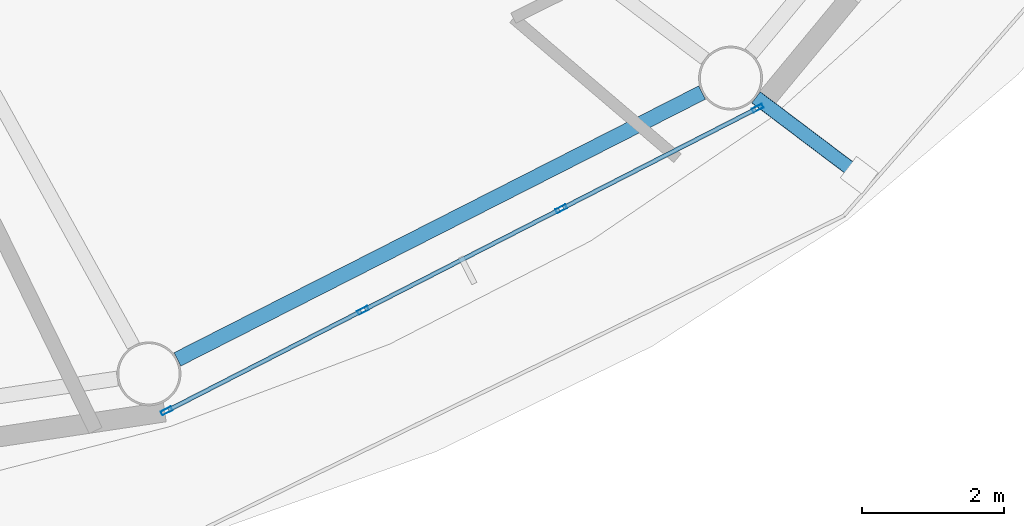
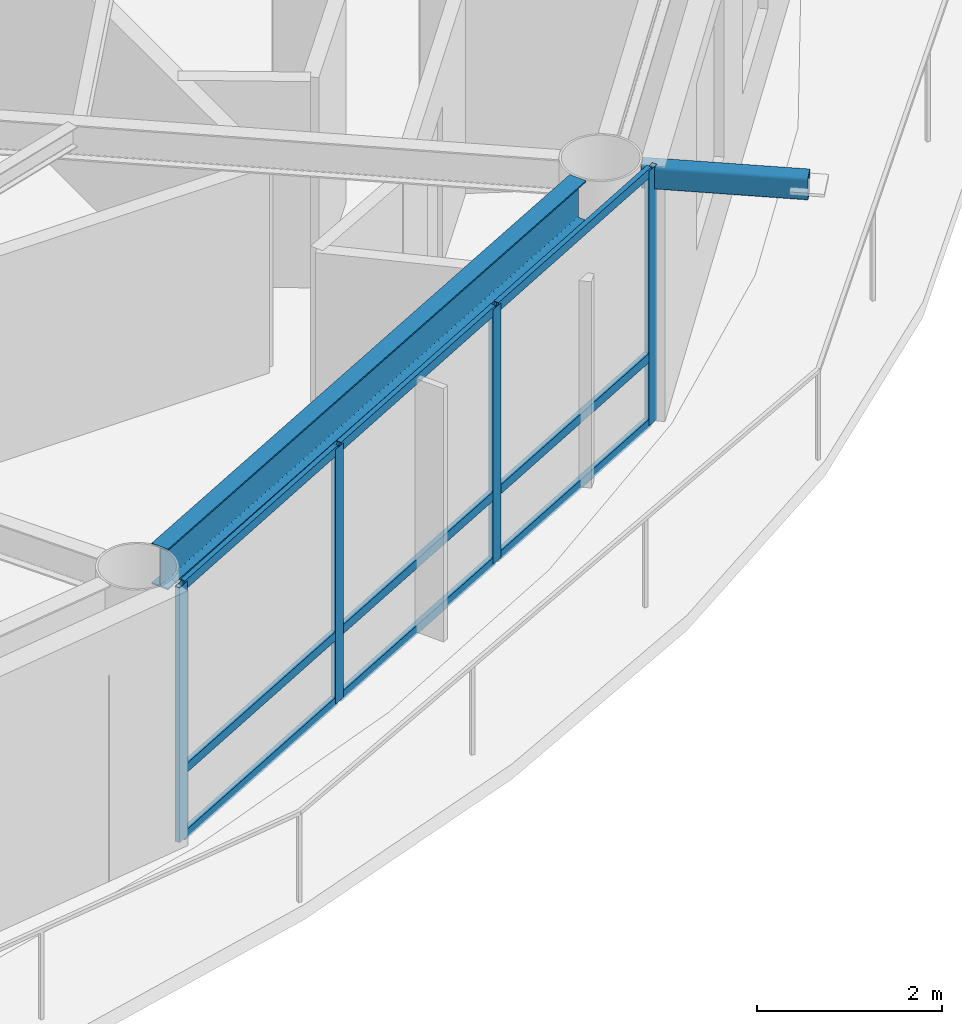
# One storey, part 5 of 23: 14 members, 1 beam, 1 element without a shape of its own.
"""IFC4 building model written with IfcOpenShell, lengths in metres."""

from ifc_helpers import new_model, si_unit, direction, frame, origin, origin_2d, place, context, subcontext, project, spatial, hollow_rectangle, i_section, extrude, material, layer, layer_set, material_profile, profile_set, type_object, element, aggregate, save


model = new_model("IFC4")

# Units and contexts
model_context = context("Model", 3, precision=1e-05, world=origin(), true_north=direction((0.0, 1.0)))
body_context = subcontext(model_context, "Body", "Model", "MODEL_VIEW")
ifc_project = project(units=[si_unit("LENGTHUNIT", "METRE"), si_unit("AREAUNIT", "SQUARE_METRE"), si_unit("VOLUMEUNIT", "CUBIC_METRE"), si_unit("PLANEANGLEUNIT", "RADIAN"), si_unit("MASSUNIT", "GRAM", prefix="KILO")], contexts=[model_context])

# Site, building, storey
site_placement = place(None, origin())
site = spatial("IfcSite", under=ifc_project, at=site_placement, CompositionType="ELEMENT")
building_placement = place(site_placement, origin())
building = spatial("IfcBuilding", under=site, at=building_placement, Name="Sarneth Arch Tower", CompositionType="ELEMENT")
storey_placement = place(building_placement, frame((0.0, 0.0, 228.0)))
storey = spatial("IfcBuildingStorey", under=building, at=storey_placement, Name="L58", CompositionType="ELEMENT", Elevation=228.0)

# Beam
ifc_material_1 = material(Name="Steel S355", Category="steel")
ifc_material_profile_1 = material_profile(ifc_material_1, i_section(OverallWidth=0.2109375, OverallDepth=0.5390625, WebThickness=0.01171875, FlangeThickness=0.018798828125, FilletRadius=0.01806640625, at=origin_2d()), Name="W530x109")
ifc_profile_set_1 = profile_set([ifc_material_profile_1], Name="Steel S355")
beam_type = type_object("IfcBeamType", Name="BM-RAD-530B", PredefinedType="BEAM", material=ifc_profile_set_1)
beam_placement = place(storey_placement, frame((58.19189453125, 24.465576171875, 3.090576171875), z_axis=(0.891376248079, 0.453264144138, 0.0), x_axis=(-0.453264144138, 0.891376248079, 0.0)))
element("IfcBeam", 1, at=beam_placement, inside=storey, type_object=beam_type, Name="L58 Perimeter spandrel beam 14", PredefinedType="BEAM", context=body_context, shape_type="SweptSolid", body=[
    extrude(i_section(OverallWidth=0.2109375, OverallDepth=0.5390625, WebThickness=0.01171875, FlangeThickness=0.018798828125, FilletRadius=0.01806640625, at=origin_2d()), origin(), (0.0, 0.0, 1.0), 8.281982421875),
])

# Curtain wall, members
ifc_material_2 = material(Name="Anodised aluminium Type AA25 and solar-control low-e laminated IGU", Category="aluminium")
ifc_layer = layer(ifc_material_2, 0.179931640625)
ifc_layer_set = layer_set([ifc_layer], Name="Anodised aluminium Type AA25 and solar-control low-e laminated IGU")
curtain_wall_type = type_object("IfcCurtainWallType", Name="CW-RES-HIGH", PredefinedType="NOTDEFINED", material=ifc_layer_set)
curtain_wall_placement = place(storey_placement, origin())
curtain_wall = element("IfcCurtainWall", 2, at=curtain_wall_placement, inside=storey, type_object=curtain_wall_type, Name="L58 Unitised curtain wall facet 14", PredefinedType="NOTDEFINED")
ifc_material_3 = material(Name="Anodised Aluminium 6063-T6", Category="aluminium")
ifc_material_profile_2 = material_profile(ifc_material_3, hollow_rectangle(XDim=0.06005859375, YDim=0.159912109375, WallThickness=0.00390625, at=origin_2d()), Name="AL-MULL-160x60x4")
ifc_profile_set_2 = profile_set([ifc_material_profile_2], Name="Anodised Aluminium 6063-T6")
member_type_1 = type_object("IfcMemberType", Name="CW-MULLION", PredefinedType="MULLION", material=ifc_profile_set_2)
member_1_placement = place(storey_placement, frame((58.039306640625, 23.7392578125, 0.0), z_axis=(0.0, 0.0, 1.0), x_axis=(-0.455941901753, 0.890009540525, 0.0)))
member_1 = element("IfcMember", 3, at=member_1_placement, type_object=member_type_1, Name="CW-SYS-6 mullion 1", PredefinedType="MULLION", context=body_context, shape_type="SweptSolid", body=[
    extrude(hollow_rectangle(XDim=0.06005859375, YDim=0.159912109375, WallThickness=0.00390625, at=origin_2d()), origin(), (0.0, 0.0, 1.0), 3.360107421875),
])
member_2_placement = place(storey_placement, frame((60.802490234375, 25.155029296875, 0.0), z_axis=(0.0, 0.0, 1.0), x_axis=(-0.455941901753, 0.890009540525, 0.0)))
member_2 = element("IfcMember", 4, at=member_2_placement, type_object=member_type_1, Name="CW-SYS-6 mullion 2", PredefinedType="MULLION", context=body_context, shape_type="SweptSolid", body=[
    extrude(hollow_rectangle(XDim=0.06005859375, YDim=0.159912109375, WallThickness=0.00390625, at=origin_2d()), origin(), (0.0, 0.0, 1.0), 3.360107421875),
])
member_3_placement = place(storey_placement, frame((63.592529296875, 26.584228515625, 0.0), z_axis=(0.0, 0.0, 1.0), x_axis=(-0.455941901753, 0.890009540525, 0.0)))
member_3 = element("IfcMember", 5, at=member_3_placement, type_object=member_type_1, Name="CW-SYS-6 mullion 3", PredefinedType="MULLION", context=body_context, shape_type="SweptSolid", body=[
    extrude(hollow_rectangle(XDim=0.06005859375, YDim=0.159912109375, WallThickness=0.00390625, at=origin_2d()), origin(), (0.0, 0.0, 1.0), 3.360107421875),
])
member_4_placement = place(storey_placement, frame((66.355712890625, 27.999755859375, 0.0), z_axis=(0.0, 0.0, 1.0), x_axis=(-0.455941901753, 0.890009540525, 0.0)))
member_4 = element("IfcMember", 6, at=member_4_placement, type_object=member_type_1, Name="CW-SYS-6 mullion 4", PredefinedType="MULLION", context=body_context, shape_type="SweptSolid", body=[
    extrude(hollow_rectangle(XDim=0.06005859375, YDim=0.159912109375, WallThickness=0.00390625, at=origin_2d()), origin(), (0.0, 0.0, 1.0), 3.360107421875),
])
ifc_material_4 = material(Name="Anodised Aluminium 6063-T6", Category="aluminium")
ifc_material_profile_3 = material_profile(ifc_material_4, hollow_rectangle(XDim=0.06005859375, YDim=0.1201171875, WallThickness=0.00390625, at=origin_2d()), Name="AL-TRAN-120x60x4")
ifc_profile_set_3 = profile_set([ifc_material_profile_3], Name="Anodised Aluminium 6063-T6")
member_type_2 = type_object("IfcMemberType", Name="CW-TRANSOM", PredefinedType="USERDEFINED", material=ifc_profile_set_3)
member_5_placement = place(storey_placement, frame((58.066162109375, 23.7529296875, 0.030029296875), z_axis=(0.889973523166, 0.456012201662, 0.0), x_axis=(-0.456012201662, 0.889973523166, 0.0)))
member_5 = element("IfcMember", 7, at=member_5_placement, type_object=member_type_2, Name="CW-SYS-6 transom 1.1", ObjectType="TRANSOM", PredefinedType="USERDEFINED", context=body_context, shape_type="SweptSolid", body=[
    extrude(hollow_rectangle(XDim=0.06005859375, YDim=0.1201171875, WallThickness=0.00390625, at=origin_2d()), origin(), (0.0, 0.0, 1.0), 3.044677734375),
])
member_6_placement = place(storey_placement, frame((58.066162109375, 23.7529296875, 0.89990234375), z_axis=(0.889973523166, 0.456012201662, 0.0), x_axis=(-0.456012201662, 0.889973523166, 0.0)))
member_6 = element("IfcMember", 8, at=member_6_placement, type_object=member_type_2, Name="CW-SYS-6 transom 1.2", ObjectType="TRANSOM", PredefinedType="USERDEFINED", context=body_context, shape_type="SweptSolid", body=[
    extrude(hollow_rectangle(XDim=0.06005859375, YDim=0.1201171875, WallThickness=0.00390625, at=origin_2d()), origin(), (0.0, 0.0, 1.0), 3.044677734375),
])
member_7_placement = place(storey_placement, frame((58.066162109375, 23.7529296875, 3.330078125), z_axis=(0.889973523166, 0.456012201662, 0.0), x_axis=(-0.456012201662, 0.889973523166, 0.0)))
member_7 = element("IfcMember", 9, at=member_7_placement, type_object=member_type_2, Name="CW-SYS-6 transom 1.3", ObjectType="TRANSOM", PredefinedType="USERDEFINED", context=body_context, shape_type="SweptSolid", body=[
    extrude(hollow_rectangle(XDim=0.06005859375, YDim=0.1201171875, WallThickness=0.00390625, at=origin_2d()), origin(), (0.0, 0.0, 1.0), 3.044677734375),
])
member_8_placement = place(storey_placement, frame((60.829345703125, 25.168701171875, 0.030029296875), z_axis=(0.890017432405, 0.455926496286, 0.0), x_axis=(-0.455926496286, 0.890017432405, 0.0)))
member_8 = element("IfcMember", 10, at=member_8_placement, type_object=member_type_2, Name="CW-SYS-6 transom 2.1", ObjectType="TRANSOM", PredefinedType="USERDEFINED", context=body_context, shape_type="SweptSolid", body=[
    extrude(hollow_rectangle(XDim=0.06005859375, YDim=0.1201171875, WallThickness=0.00390625, at=origin_2d()), origin(), (0.0, 0.0, 1.0), 3.07470703125),
])
member_9_placement = place(storey_placement, frame((60.829345703125, 25.168701171875, 0.89990234375), z_axis=(0.890017432405, 0.455926496286, 0.0), x_axis=(-0.455926496286, 0.890017432405, 0.0)))
member_9 = element("IfcMember", 11, at=member_9_placement, type_object=member_type_2, Name="CW-SYS-6 transom 2.2", ObjectType="TRANSOM", PredefinedType="USERDEFINED", context=body_context, shape_type="SweptSolid", body=[
    extrude(hollow_rectangle(XDim=0.06005859375, YDim=0.1201171875, WallThickness=0.00390625, at=origin_2d()), origin(), (0.0, 0.0, 1.0), 3.07470703125),
])
member_10_placement = place(storey_placement, frame((60.829345703125, 25.168701171875, 3.330078125), z_axis=(0.890017432405, 0.455926496286, 0.0), x_axis=(-0.455926496286, 0.890017432405, 0.0)))
member_10 = element("IfcMember", 12, at=member_10_placement, type_object=member_type_2, Name="CW-SYS-6 transom 2.3", ObjectType="TRANSOM", PredefinedType="USERDEFINED", context=body_context, shape_type="SweptSolid", body=[
    extrude(hollow_rectangle(XDim=0.06005859375, YDim=0.1201171875, WallThickness=0.00390625, at=origin_2d()), origin(), (0.0, 0.0, 1.0), 3.07470703125),
])
member_11_placement = place(storey_placement, frame((63.619140625, 26.597900390625, 0.030029296875), z_axis=(0.890022732705, 0.455916149384, 0.0), x_axis=(-0.455916149384, 0.890022732705, 0.0)))
member_11 = element("IfcMember", 13, at=member_11_placement, type_object=member_type_2, Name="CW-SYS-6 transom 3.1", ObjectType="TRANSOM", PredefinedType="USERDEFINED", context=body_context, shape_type="SweptSolid", body=[
    extrude(hollow_rectangle(XDim=0.06005859375, YDim=0.1201171875, WallThickness=0.00390625, at=origin_2d()), origin(), (0.0, 0.0, 1.0), 3.044921875),
])
member_12_placement = place(storey_placement, frame((63.619140625, 26.597900390625, 0.89990234375), z_axis=(0.890022732705, 0.455916149384, 0.0), x_axis=(-0.455916149384, 0.890022732705, 0.0)))
member_12 = element("IfcMember", 14, at=member_12_placement, type_object=member_type_2, Name="CW-SYS-6 transom 3.2", ObjectType="TRANSOM", PredefinedType="USERDEFINED", context=body_context, shape_type="SweptSolid", body=[
    extrude(hollow_rectangle(XDim=0.06005859375, YDim=0.1201171875, WallThickness=0.00390625, at=origin_2d()), origin(), (0.0, 0.0, 1.0), 3.044921875),
])
member_13_placement = place(storey_placement, frame((63.619140625, 26.597900390625, 3.330078125), z_axis=(0.890022732705, 0.455916149384, 0.0), x_axis=(-0.455916149384, 0.890022732705, 0.0)))
member_13 = element("IfcMember", 15, at=member_13_placement, type_object=member_type_2, Name="CW-SYS-6 transom 3.3", ObjectType="TRANSOM", PredefinedType="USERDEFINED", context=body_context, shape_type="SweptSolid", body=[
    extrude(hollow_rectangle(XDim=0.06005859375, YDim=0.1201171875, WallThickness=0.00390625, at=origin_2d()), origin(), (0.0, 0.0, 1.0), 3.044921875),
])
aggregate(curtain_wall, [member_1, member_2, member_3, member_4, member_5, member_6, member_7, member_8, member_9, member_10, member_11, member_12, member_13])

# Member
ifc_material_5 = material(Name="Steel S355", Category="steel")
ifc_material_profile_4 = material_profile(ifc_material_5, hollow_rectangle(XDim=0.199951171875, YDim=0.300048828125, WallThickness=0.012451171875, InnerFilletRadius=0.018798828125, OuterFilletRadius=0.03125, at=origin_2d()), Name="RHS300x200x12.5")
ifc_profile_set_4 = profile_set([ifc_material_profile_4], Name="Steel S355")
member_type_3 = type_object("IfcMemberType", Name="MEM-CANT-STRUT", PredefinedType="STRUT", material=ifc_profile_set_4)
member_14_placement = place(storey_placement, frame((66.334228515625, 28.15234375, 3.199951171875), z_axis=(0.797964919194, -0.60270389723, 0.0), x_axis=(0.60270389723, 0.797964919194, 0.0)))
element("IfcMember", 16, at=member_14_placement, inside=storey, type_object=member_type_3, Name="L58 Balcony cantilever bracket 15", PredefinedType="STRUT", context=body_context, shape_type="SweptSolid", body=[
    extrude(hollow_rectangle(XDim=0.199951171875, YDim=0.300048828125, WallThickness=0.012451171875, InnerFilletRadius=0.018798828125, OuterFilletRadius=0.03125, at=origin_2d()), origin(), (0.0, 0.0, 1.0), 1.81787109375),
])

save(model, "model.ifc")
